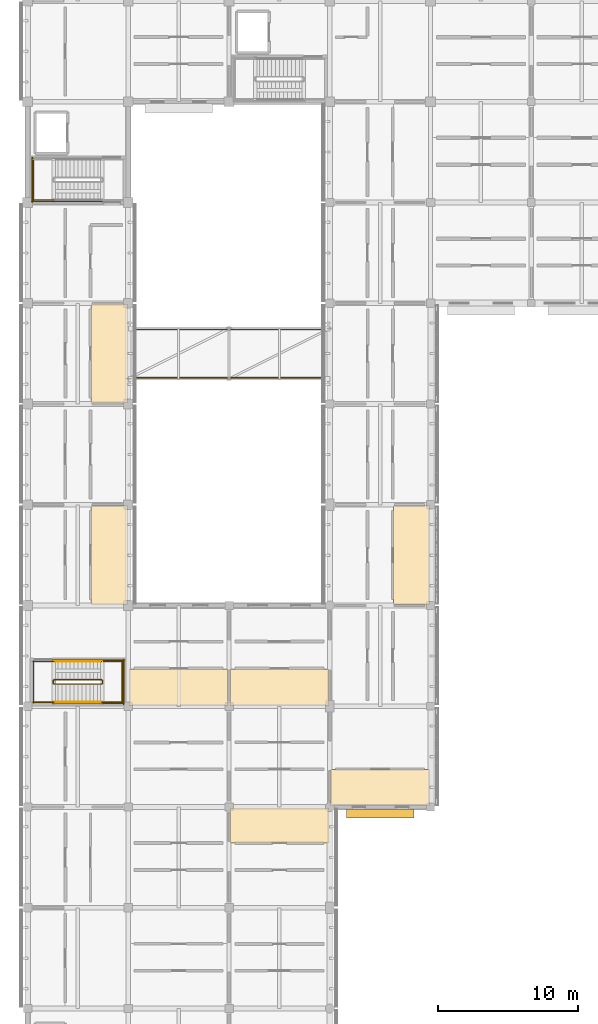
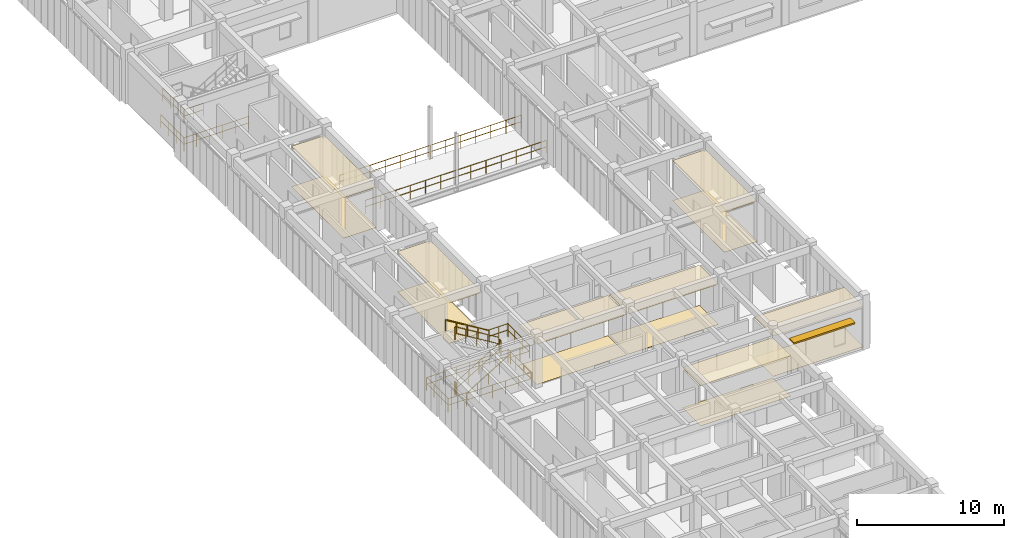
# One storey, part 148 of 171: 21 railings, 14 coverings, 1 shading device.
"""IFC4 building model written with IfcOpenShell, lengths in metres."""

from ifc_helpers import new_model, si_unit, direction, frame, origin, origin_2d, place, context, subcontext, project, spatial, polyline, rectangle, circle, outline, extrude, material, layer, layer_set, type_object, element, save


model = new_model("IFC4")

# Units and contexts
model_context = context("Model", 3, precision=1e-05, world=origin(), true_north=direction((0.0, 1.0)))
body_context = subcontext(model_context, "Body", "Model", "MODEL_VIEW")
ifc_project = project(units=[si_unit("LENGTHUNIT", "METRE"), si_unit("AREAUNIT", "SQUARE_METRE"), si_unit("VOLUMEUNIT", "CUBIC_METRE"), si_unit("PLANEANGLEUNIT", "RADIAN"), si_unit("MASSUNIT", "GRAM", prefix="KILO")], contexts=[model_context])

# Site, building, storey
site_placement = place(None, origin())
site = spatial("IfcSite", under=ifc_project, at=site_placement, CompositionType="ELEMENT")
building_placement = place(site_placement, origin())
building = spatial("IfcBuilding", under=site, at=building_placement, Name="Aldebral Square Health Centre", CompositionType="ELEMENT")
storey_placement = place(building_placement, frame((0.0, 0.0, 4.5)))
storey = spatial("IfcBuildingStorey", under=building, at=storey_placement, Name="L01", CompositionType="ELEMENT", Elevation=4.5)

# Coverings
ifc_material_1 = material(Name="Hygienic acoustic mineral ceiling tile")
ifc_layer_1 = layer(ifc_material_1, 0.02001953125, Name="Hygienic acoustic mineral ceiling tile")
ifc_layer_set_1 = layer_set([ifc_layer_1], Name="Hygienic acoustic mineral ceiling tile")
covering_type_1 = type_object("IfcCoveringType", Name="COV-CLG-AC", PredefinedType="CEILING", material=ifc_layer_set_1)
covering_1_placement = place(storey_placement, frame((0.0, 0.0, 3.340087890625)))
element("IfcCovering", 1, at=covering_1_placement, inside=storey, type_object=covering_type_1, Name="L01 Diabetic Foot Care Room 1.10E acoustic ceiling", PredefinedType="CEILING", context=body_context, shape_type="SweptSolid", body=[
    extrude(outline(polyline([(4.5400390625, 64.860107421875), (7.139892578125, 64.860107421875), (7.139892578125, 71.93994140625), (4.5400390625, 71.93994140625), (4.5400390625, 64.860107421875)])), origin(), (0.0, 0.0, 1.0), 0.02001953125),
])
covering_2_placement = place(storey_placement, frame((0.0, 0.0, 3.340087890625)))
element("IfcCovering", 2, at=covering_2_placement, inside=storey, type_object=covering_type_1, Name="L01 General Consulting Room 1.12E acoustic ceiling", PredefinedType="CEILING", context=body_context, shape_type="SweptSolid", body=[
    extrude(outline(polyline([(4.5400390625, 79.260009765625), (7.139892578125, 79.260009765625), (7.139892578125, 86.340087890625), (4.5400390625, 86.340087890625), (4.5400390625, 79.260009765625)])), origin(), (0.0, 0.0, 1.0), 0.02001953125),
])
covering_3_placement = place(storey_placement, frame((0.0, 0.0, 3.340087890625)))
element("IfcCovering", 3, at=covering_3_placement, inside=storey, type_object=covering_type_1, Name="L01 Diabetic Foot Care Room 2.9S acoustic ceiling", PredefinedType="CEILING", context=body_context, shape_type="SweptSolid", body=[
    extrude(outline(polyline([(7.260009765625, 57.659912109375), (14.340087890625, 57.659912109375), (14.340087890625, 60.280029296875), (7.260009765625, 60.280029296875), (7.260009765625, 57.659912109375)])), origin(), (0.0, 0.0, 1.0), 0.02001953125),
])
covering_4_placement = place(storey_placement, frame((0.0, 0.0, 3.340087890625)))
element("IfcCovering", 4, at=covering_4_placement, inside=storey, type_object=covering_type_1, Name="L01 Accessible WC 3.9S acoustic ceiling", PredefinedType="CEILING", context=body_context, shape_type="SweptSolid", body=[
    extrude(outline(polyline([(14.4599609375, 57.659912109375), (21.5400390625, 57.659912109375), (21.5400390625, 60.280029296875), (14.4599609375, 60.280029296875), (14.4599609375, 57.659912109375)])), origin(), (0.0, 0.0, 1.0), 0.02001953125),
])
covering_5_placement = place(storey_placement, frame((0.0, 0.0, 3.340087890625)))
element("IfcCovering", 5, at=covering_5_placement, inside=storey, type_object=covering_type_1, Name="L01 Diabetic Foot Care Room 4.8S acoustic ceiling", PredefinedType="CEILING", context=body_context, shape_type="SweptSolid", body=[
    extrude(outline(polyline([(21.659912109375, 50.4599609375), (28.739990234375, 50.4599609375), (28.739990234375, 53.080078125), (21.659912109375, 53.080078125), (21.659912109375, 50.4599609375)])), origin(), (0.0, 0.0, 1.0), 0.02001953125),
])
covering_6_placement = place(storey_placement, frame((0.0, 0.0, 3.340087890625)))
element("IfcCovering", 6, at=covering_6_placement, inside=storey, type_object=covering_type_1, Name="L01 General Consulting Room 4.10E acoustic ceiling", PredefinedType="CEILING", context=body_context, shape_type="SweptSolid", body=[
    extrude(outline(polyline([(26.139892578125, 64.860107421875), (28.739990234375, 64.860107421875), (28.739990234375, 71.93994140625), (26.139892578125, 71.93994140625), (26.139892578125, 64.860107421875)])), origin(), (0.0, 0.0, 1.0), 0.02001953125),
])
covering_7_placement = place(storey_placement, frame((0.0, 0.0, 3.340087890625)))
element("IfcCovering", 7, at=covering_7_placement, inside=storey, type_object=covering_type_1, Name="L01 Nutrition Studio 3.7N acoustic ceiling", PredefinedType="CEILING", context=body_context, shape_type="SweptSolid", body=[
    extrude(outline(polyline([(14.4599609375, 47.840087890625), (21.5400390625, 47.840087890625), (21.5400390625, 50.340087890625), (14.4599609375, 50.340087890625), (14.4599609375, 47.840087890625)])), origin(), (0.0, 0.0, 1.0), 0.02001953125),
])
ifc_material_2 = material(Name="Antimicrobial clinical vinyl flooring")
ifc_layer_2 = layer(ifc_material_2, 0.014892578125, Name="Antimicrobial clinical vinyl flooring")
ifc_layer_set_2 = layer_set([ifc_layer_2], Name="Antimicrobial clinical vinyl flooring")
covering_type_2 = type_object("IfcCoveringType", Name="COV-FLR-VN", PredefinedType="FLOORING", material=ifc_layer_set_2)
covering_8_placement = place(storey_placement, origin())
element("IfcCovering", 8, at=covering_8_placement, inside=storey, type_object=covering_type_2, Name="L01 Diabetic Foot Care Room 1.10E clinical flooring", PredefinedType="FLOORING", context=body_context, shape_type="SweptSolid", body=[
    extrude(outline(polyline([(4.5400390625, 64.860107421875), (7.139892578125, 64.860107421875), (7.139892578125, 71.93994140625), (4.5400390625, 71.93994140625), (4.5400390625, 64.860107421875)])), origin(), (0.0, 0.0, 1.0), 0.014892578125),
])
covering_9_placement = place(storey_placement, origin())
element("IfcCovering", 9, at=covering_9_placement, inside=storey, type_object=covering_type_2, Name="L01 General Consulting Room 1.12E clinical flooring", PredefinedType="FLOORING", context=body_context, shape_type="SweptSolid", body=[
    extrude(outline(polyline([(4.5400390625, 79.260009765625), (7.139892578125, 79.260009765625), (7.139892578125, 86.340087890625), (4.5400390625, 86.340087890625), (4.5400390625, 79.260009765625)])), origin(), (0.0, 0.0, 1.0), 0.014892578125),
])
covering_10_placement = place(storey_placement, origin())
element("IfcCovering", 10, at=covering_10_placement, inside=storey, type_object=covering_type_2, Name="L01 Diabetic Foot Care Room 2.9S clinical flooring", PredefinedType="FLOORING", context=body_context, shape_type="SweptSolid", body=[
    extrude(outline(polyline([(7.260009765625, 57.659912109375), (14.340087890625, 57.659912109375), (14.340087890625, 60.280029296875), (7.260009765625, 60.280029296875), (7.260009765625, 57.659912109375)])), origin(), (0.0, 0.0, 1.0), 0.014892578125),
])
covering_11_placement = place(storey_placement, origin())
element("IfcCovering", 11, at=covering_11_placement, inside=storey, type_object=covering_type_2, Name="L01 Accessible WC 3.9S clinical flooring", PredefinedType="FLOORING", context=body_context, shape_type="SweptSolid", body=[
    extrude(outline(polyline([(14.4599609375, 57.659912109375), (21.5400390625, 57.659912109375), (21.5400390625, 60.280029296875), (14.4599609375, 60.280029296875), (14.4599609375, 57.659912109375)])), origin(), (0.0, 0.0, 1.0), 0.014892578125),
])
covering_12_placement = place(storey_placement, origin())
element("IfcCovering", 12, at=covering_12_placement, inside=storey, type_object=covering_type_2, Name="L01 Diabetic Foot Care Room 4.8S clinical flooring", PredefinedType="FLOORING", context=body_context, shape_type="SweptSolid", body=[
    extrude(outline(polyline([(21.659912109375, 50.4599609375), (28.739990234375, 50.4599609375), (28.739990234375, 53.080078125), (21.659912109375, 53.080078125), (21.659912109375, 50.4599609375)])), origin(), (0.0, 0.0, 1.0), 0.014892578125),
])
covering_13_placement = place(storey_placement, origin())
element("IfcCovering", 13, at=covering_13_placement, inside=storey, type_object=covering_type_2, Name="L01 General Consulting Room 4.10E clinical flooring", PredefinedType="FLOORING", context=body_context, shape_type="SweptSolid", body=[
    extrude(outline(polyline([(26.139892578125, 64.860107421875), (28.739990234375, 64.860107421875), (28.739990234375, 71.93994140625), (26.139892578125, 71.93994140625), (26.139892578125, 64.860107421875)])), origin(), (0.0, 0.0, 1.0), 0.014892578125),
])
covering_14_placement = place(storey_placement, origin())
element("IfcCovering", 14, at=covering_14_placement, inside=storey, type_object=covering_type_2, Name="L01 Nutrition Studio 3.7N clinical flooring", PredefinedType="FLOORING", context=body_context, shape_type="SweptSolid", body=[
    extrude(outline(polyline([(14.4599609375, 47.840087890625), (21.5400390625, 47.840087890625), (21.5400390625, 50.340087890625), (14.4599609375, 50.340087890625), (14.4599609375, 47.840087890625)])), origin(), (0.0, 0.0, 1.0), 0.014892578125),
])

# Railings
ifc_material_3 = material(Name="Cream cantera and steel balustrade", Category="steel")
railing_type_1 = type_object("IfcRailingType", Name="RL-EXT-BAL", PredefinedType="BALUSTRADE", material=ifc_material_3)
railing_1_placement = place(storey_placement, frame((7.280029296875, 81.080078125, 0.0)))
element("IfcRailing", 15, at=railing_1_placement, inside=storey, type_object=railing_type_1, Name="West Light Court Bridge L01 balustrade S", PredefinedType="BALUSTRADE", context=body_context, shape_type="SweptSolid", body=[
    extrude(circle(Radius=0.02392578125, at=origin_2d()), frame((0.0, 0.0, 1.09619140625), z_axis=(1.0, 0.0, 0.0), x_axis=(0.0, 1.0, 0.0)), (0.0, 0.0, 1.0), 14.239990234375),
    extrude(circle(Radius=0.02392578125, at=origin_2d()), frame((0.0, 0.0, 0.56005859375), z_axis=(1.0, 0.0, 0.0), x_axis=(0.0, 1.0, 0.0)), (0.0, 0.0, 1.0), 14.239990234375),
    extrude(circle(Radius=0.02099609375, at=origin_2d()), origin(), (0.0, 0.0, 1.0), 1.072021484375),
    extrude(circle(Radius=0.02099609375, at=origin_2d()), frame((1.186767578125, 0.0, 0.0)), (0.0, 0.0, 1.0), 1.072021484375),
    extrude(circle(Radius=0.02099609375, at=origin_2d()), frame((2.373291015625, 0.0, 0.0)), (0.0, 0.0, 1.0), 1.072021484375),
    extrude(circle(Radius=0.02099609375, at=origin_2d()), frame((3.56005859375, 0.0, 0.0)), (0.0, 0.0, 1.0), 1.072021484375),
    extrude(circle(Radius=0.02099609375, at=origin_2d()), frame((4.74658203125, 0.0, 0.0)), (0.0, 0.0, 1.0), 1.072021484375),
    extrude(circle(Radius=0.02099609375, at=origin_2d()), frame((5.933349609375, 0.0, 0.0)), (0.0, 0.0, 1.0), 1.072021484375),
    extrude(circle(Radius=0.02099609375, at=origin_2d()), frame((7.1201171875, 0.0, 0.0)), (0.0, 0.0, 1.0), 1.072021484375),
    extrude(circle(Radius=0.02099609375, at=origin_2d()), frame((8.306640625, 0.0, 0.0)), (0.0, 0.0, 1.0), 1.072021484375),
    extrude(circle(Radius=0.02099609375, at=origin_2d()), frame((9.493408203125, 0.0, 0.0)), (0.0, 0.0, 1.0), 1.072021484375),
    extrude(circle(Radius=0.02099609375, at=origin_2d()), frame((10.679931640625, 0.0, 0.0)), (0.0, 0.0, 1.0), 1.072021484375),
    extrude(circle(Radius=0.02099609375, at=origin_2d()), frame((11.86669921875, 0.0, 0.0)), (0.0, 0.0, 1.0), 1.072021484375),
    extrude(circle(Radius=0.02099609375, at=origin_2d()), frame((13.05322265625, 0.0, 0.0)), (0.0, 0.0, 1.0), 1.072021484375),
    extrude(circle(Radius=0.02099609375, at=origin_2d()), frame((14.239990234375, 0.0, 0.0)), (0.0, 0.0, 1.0), 1.072021484375),
])
railing_2_placement = place(storey_placement, frame((7.280029296875, 84.52001953125, 0.0)))
element("IfcRailing", 16, at=railing_2_placement, inside=storey, type_object=railing_type_1, Name="West Light Court Bridge L01 balustrade N", PredefinedType="BALUSTRADE", context=body_context, shape_type="SweptSolid", body=[
    extrude(circle(Radius=0.02392578125, at=origin_2d()), frame((0.0, 0.0, 1.09619140625), z_axis=(1.0, 0.0, 0.0), x_axis=(0.0, 1.0, 0.0)), (0.0, 0.0, 1.0), 14.239990234375),
    extrude(circle(Radius=0.02392578125, at=origin_2d()), frame((0.0, 0.0, 0.56005859375), z_axis=(1.0, 0.0, 0.0), x_axis=(0.0, 1.0, 0.0)), (0.0, 0.0, 1.0), 14.239990234375),
    extrude(circle(Radius=0.02099609375, at=origin_2d()), origin(), (0.0, 0.0, 1.0), 1.072021484375),
    extrude(circle(Radius=0.02099609375, at=origin_2d()), frame((1.186767578125, 0.0, 0.0)), (0.0, 0.0, 1.0), 1.072021484375),
    extrude(circle(Radius=0.02099609375, at=origin_2d()), frame((2.373291015625, 0.0, 0.0)), (0.0, 0.0, 1.0), 1.072021484375),
    extrude(circle(Radius=0.02099609375, at=origin_2d()), frame((3.56005859375, 0.0, 0.0)), (0.0, 0.0, 1.0), 1.072021484375),
    extrude(circle(Radius=0.02099609375, at=origin_2d()), frame((4.74658203125, 0.0, 0.0)), (0.0, 0.0, 1.0), 1.072021484375),
    extrude(circle(Radius=0.02099609375, at=origin_2d()), frame((5.933349609375, 0.0, 0.0)), (0.0, 0.0, 1.0), 1.072021484375),
    extrude(circle(Radius=0.02099609375, at=origin_2d()), frame((7.1201171875, 0.0, 0.0)), (0.0, 0.0, 1.0), 1.072021484375),
    extrude(circle(Radius=0.02099609375, at=origin_2d()), frame((8.306640625, 0.0, 0.0)), (0.0, 0.0, 1.0), 1.072021484375),
    extrude(circle(Radius=0.02099609375, at=origin_2d()), frame((9.493408203125, 0.0, 0.0)), (0.0, 0.0, 1.0), 1.072021484375),
    extrude(circle(Radius=0.02099609375, at=origin_2d()), frame((10.679931640625, 0.0, 0.0)), (0.0, 0.0, 1.0), 1.072021484375),
    extrude(circle(Radius=0.02099609375, at=origin_2d()), frame((11.86669921875, 0.0, 0.0)), (0.0, 0.0, 1.0), 1.072021484375),
    extrude(circle(Radius=0.02099609375, at=origin_2d()), frame((13.05322265625, 0.0, 0.0)), (0.0, 0.0, 1.0), 1.072021484375),
    extrude(circle(Radius=0.02099609375, at=origin_2d()), frame((14.239990234375, 0.0, 0.0)), (0.0, 0.0, 1.0), 1.072021484375),
])
ifc_material_4 = material(Name="Painted steel S355JR stair guard", Category="steel")
railing_type_2 = type_object("IfcRailingType", Name="RL-ST-GRD", PredefinedType="GUARDRAIL", material=ifc_material_4)
railing_3_placement = place(storey_placement, frame((1.89990234375, 93.77001953125, 2.25)))
element("IfcRailing", 17, at=railing_3_placement, inside=storey, type_object=railing_type_2, Name="L01 ST-01 stair guard 4", PredefinedType="GUARDRAIL", context=body_context, shape_type="SweptSolid", body=[
    extrude(circle(Radius=0.02392578125, at=origin_2d()), frame((0.0, 0.0, 1.09619140625), z_axis=(-1.0, 0.0, 0.0), x_axis=(0.0, -1.0, 0.0)), (0.0, 0.0, 1.0), 1.52001953125),
    extrude(circle(Radius=0.02392578125, at=origin_2d()), frame((0.0, 0.0, 0.56005859375), z_axis=(-1.0, 0.0, 0.0), x_axis=(0.0, -1.0, 0.0)), (0.0, 0.0, 1.0), 1.52001953125),
    extrude(circle(Radius=0.02099609375, at=origin_2d()), origin(), (0.0, 0.0, 1.0), 1.072021484375),
    extrude(circle(Radius=0.02099609375, at=origin_2d()), frame((-0.760009765625, 0.0, 0.0)), (0.0, 0.0, 1.0), 1.072021484375),
    extrude(circle(Radius=0.02099609375, at=origin_2d()), frame((-1.52001953125, 0.0, 0.0)), (0.0, 0.0, 1.0), 1.072021484375),
])
railing_4_placement = place(storey_placement, frame((0.429931640625, 96.719970703125, 2.25)))
element("IfcRailing", 18, at=railing_4_placement, inside=storey, type_object=railing_type_2, Name="L01 ST-01 stair guard 5", PredefinedType="GUARDRAIL", context=body_context, shape_type="SweptSolid", body=[
    extrude(circle(Radius=0.02392578125, at=origin_2d()), frame((0.0, 0.0, 1.09619140625), z_axis=(0.0, -1.0, 0.0), x_axis=(1.0, 0.0, 0.0)), (0.0, 0.0, 1.0), 3.0),
    extrude(circle(Radius=0.02392578125, at=origin_2d()), frame((0.0, 0.0, 0.56005859375), z_axis=(0.0, -1.0, 0.0), x_axis=(1.0, 0.0, 0.0)), (0.0, 0.0, 1.0), 3.0),
    extrude(circle(Radius=0.02099609375, at=origin_2d()), origin(), (0.0, 0.0, 1.0), 1.072021484375),
    extrude(circle(Radius=0.02099609375, at=origin_2d()), frame((0.0, -1.0, 0.0)), (0.0, 0.0, 1.0), 1.072021484375),
    extrude(circle(Radius=0.02099609375, at=origin_2d()), frame((0.0, -2.0, 0.0)), (0.0, 0.0, 1.0), 1.072021484375),
    extrude(circle(Radius=0.02099609375, at=origin_2d()), frame((0.0, -3.0, 0.0)), (0.0, 0.0, 1.0), 1.072021484375),
])
railing_5_placement = place(storey_placement, frame((5.419921875, 93.669921875, 0.0)))
element("IfcRailing", 19, at=railing_5_placement, inside=storey, type_object=railing_type_2, Name="L01 ST-01 stair guard 11", PredefinedType="GUARDRAIL", context=body_context, shape_type="SweptSolid", body=[
    extrude(circle(Radius=0.02392578125, at=origin_2d()), frame((0.0, 0.0, 1.09619140625), z_axis=(-1.0, 0.0, 0.0), x_axis=(0.0, -1.0, 0.0)), (0.0, 0.0, 1.0), 5.139892578125),
    extrude(circle(Radius=0.02392578125, at=origin_2d()), frame((0.0, 0.0, 0.56005859375), z_axis=(-1.0, 0.0, 0.0), x_axis=(0.0, -1.0, 0.0)), (0.0, 0.0, 1.0), 5.139892578125),
    extrude(circle(Radius=0.02099609375, at=origin_2d()), origin(), (0.0, 0.0, 1.0), 1.072021484375),
    extrude(circle(Radius=0.02099609375, at=origin_2d()), frame((-1.028076171875, 0.0, 0.0)), (0.0, 0.0, 1.0), 1.072021484375),
    extrude(circle(Radius=0.02099609375, at=origin_2d()), frame((-2.055908203125, 0.0, 0.0)), (0.0, 0.0, 1.0), 1.072021484375),
    extrude(circle(Radius=0.02099609375, at=origin_2d()), frame((-3.083984375, 0.0, 0.0)), (0.0, 0.0, 1.0), 1.072021484375),
    extrude(circle(Radius=0.02099609375, at=origin_2d()), frame((-4.11181640625, 0.0, 0.0)), (0.0, 0.0, 1.0), 1.072021484375),
    extrude(circle(Radius=0.02099609375, at=origin_2d()), frame((-5.139892578125, 0.0, 0.0)), (0.0, 0.0, 1.0), 1.072021484375),
])
railing_6_placement = place(storey_placement, frame((0.330078125, 96.820068359375, 0.0)))
element("IfcRailing", 20, at=railing_6_placement, inside=storey, type_object=railing_type_2, Name="L01 ST-01 stair guard 12", PredefinedType="GUARDRAIL", context=body_context, shape_type="SweptSolid", body=[
    extrude(circle(Radius=0.02392578125, at=origin_2d()), frame((0.0, 0.0, 1.09619140625), z_axis=(0.0, -1.0, 0.0), x_axis=(1.0, 0.0, 0.0)), (0.0, 0.0, 1.0), 3.199951171875),
    extrude(circle(Radius=0.02392578125, at=origin_2d()), frame((0.0, 0.0, 0.56005859375), z_axis=(0.0, -1.0, 0.0), x_axis=(1.0, 0.0, 0.0)), (0.0, 0.0, 1.0), 3.199951171875),
    extrude(circle(Radius=0.02099609375, at=origin_2d()), origin(), (0.0, 0.0, 1.0), 1.072021484375),
    extrude(circle(Radius=0.02099609375, at=origin_2d()), frame((0.0, -1.066650390625, 0.0)), (0.0, 0.0, 1.0), 1.072021484375),
    extrude(circle(Radius=0.02099609375, at=origin_2d()), frame((0.0, -2.13330078125, 0.0)), (0.0, 0.0, 1.0), 1.072021484375),
    extrude(circle(Radius=0.02099609375, at=origin_2d()), frame((0.0, -3.199951171875, 0.0)), (0.0, 0.0, 1.0), 1.072021484375),
])
railing_7_placement = place(storey_placement, frame((1.8798828125, 59.18994140625, 0.173095703125)))
element("IfcRailing", 21, at=railing_7_placement, inside=storey, type_object=railing_type_2, Name="L01 ST-11 stair guard 1", PredefinedType="GUARDRAIL", context=body_context, shape_type="SweptSolid", body=[
    extrude(circle(Radius=0.02392578125, at=origin_2d()), frame((0.0, 0.0, 1.09619140625), z_axis=(0.854745945586, 0.0, 0.519046595696), x_axis=(0.0, 1.0, 0.0)), (0.0, 0.0, 1.0), 4.00146484375),
    extrude(circle(Radius=0.02392578125, at=origin_2d()), frame((0.0, 0.0, 0.56005859375), z_axis=(0.854745945586, 0.0, 0.519046595696), x_axis=(0.0, 1.0, 0.0)), (0.0, 0.0, 1.0), 4.00146484375),
    extrude(circle(Radius=0.02099609375, at=origin_2d()), origin(), (0.0, 0.0, 1.0), 1.072021484375),
    extrude(circle(Radius=0.02099609375, at=origin_2d()), frame((0.85498046875, 0.0, 0.519287109375)), (0.0, 0.0, 1.0), 1.072021484375),
    extrude(circle(Radius=0.02099609375, at=origin_2d()), frame((1.7099609375, 0.0, 1.03857421875)), (0.0, 0.0, 1.0), 1.072021484375),
    extrude(circle(Radius=0.02099609375, at=origin_2d()), frame((2.565185546875, 0.0, 1.5576171875)), (0.0, 0.0, 1.0), 1.072021484375),
    extrude(circle(Radius=0.02099609375, at=origin_2d()), frame((3.420166015625, 0.0, 2.076904296875)), (0.0, 0.0, 1.0), 1.072021484375),
])
railing_8_placement = place(storey_placement, frame((5.35009765625, 59.239990234375, 2.25)))
element("IfcRailing", 22, at=railing_8_placement, inside=storey, type_object=railing_type_2, Name="L01 ST-11 stair guard 2", PredefinedType="GUARDRAIL", context=body_context, shape_type="SweptSolid", body=[
    extrude(circle(Radius=0.02392578125, at=origin_2d()), frame((0.0, 0.0, 1.09619140625), z_axis=(0.0, 1.0, 0.0), x_axis=(-1.0, 0.0, 0.0)), (0.0, 0.0, 1.0), 0.199951171875),
    extrude(circle(Radius=0.02392578125, at=origin_2d()), frame((0.0, 0.0, 0.56005859375), z_axis=(0.0, 1.0, 0.0), x_axis=(-1.0, 0.0, 0.0)), (0.0, 0.0, 1.0), 0.199951171875),
    extrude(circle(Radius=0.02099609375, at=origin_2d()), origin(), (0.0, 0.0, 1.0), 1.072021484375),
    extrude(circle(Radius=0.02099609375, at=origin_2d()), frame((0.0, 0.199951171875, 0.0)), (0.0, 0.0, 1.0), 1.072021484375),
])
for number, where, name in (
    (23, (5.300048828125, 57.889892578125, 2.25), "L01 ST-11 stair guard 3"),
    (24, (5.300048828125, 60.7900390625, 2.25), "L01 ST-11 stair guard 4"),
):
    element("IfcRailing", number, at=place(storey_placement, frame(where)), inside=storey, type_object=railing_type_2, Name=name, PredefinedType="GUARDRAIL", context=body_context, shape_type="SweptSolid", body=[
        extrude(circle(Radius=0.02392578125, at=origin_2d()), frame((0.0, 0.0, 1.09619140625), z_axis=(1.0, 0.0, 0.0), x_axis=(0.0, 1.0, 0.0)), (0.0, 0.0, 1.0), 1.52001953125),
        extrude(circle(Radius=0.02392578125, at=origin_2d()), frame((0.0, 0.0, 0.56005859375), z_axis=(1.0, 0.0, 0.0), x_axis=(0.0, 1.0, 0.0)), (0.0, 0.0, 1.0), 1.52001953125),
        extrude(circle(Radius=0.02099609375, at=origin_2d()), origin(), (0.0, 0.0, 1.0), 1.072021484375),
        extrude(circle(Radius=0.02099609375, at=origin_2d()), frame((0.760009765625, 0.0, 0.0)), (0.0, 0.0, 1.0), 1.072021484375),
        extrude(circle(Radius=0.02099609375, at=origin_2d()), frame((1.52001953125, 0.0, 0.0)), (0.0, 0.0, 1.0), 1.072021484375),
    ])
railing_9_placement = place(storey_placement, frame((6.77001953125, 57.840087890625, 2.25)))
element("IfcRailing", 25, at=railing_9_placement, inside=storey, type_object=railing_type_2, Name="L01 ST-11 stair guard 5", PredefinedType="GUARDRAIL", context=body_context, shape_type="SweptSolid", body=[
    extrude(circle(Radius=0.02392578125, at=origin_2d()), frame((0.0, 0.0, 1.09619140625), z_axis=(0.0, 1.0, 0.0), x_axis=(-1.0, 0.0, 0.0)), (0.0, 0.0, 1.0), 3.0),
    extrude(circle(Radius=0.02392578125, at=origin_2d()), frame((0.0, 0.0, 0.56005859375), z_axis=(0.0, 1.0, 0.0), x_axis=(-1.0, 0.0, 0.0)), (0.0, 0.0, 1.0), 3.0),
    extrude(circle(Radius=0.02099609375, at=origin_2d()), origin(), (0.0, 0.0, 1.0), 1.072021484375),
    extrude(circle(Radius=0.02099609375, at=origin_2d()), frame((0.0, 1.0, 0.0)), (0.0, 0.0, 1.0), 1.072021484375),
    extrude(circle(Radius=0.02099609375, at=origin_2d()), frame((0.0, 2.0, 0.0)), (0.0, 0.0, 1.0), 1.072021484375),
    extrude(circle(Radius=0.02099609375, at=origin_2d()), frame((0.0, 3.0, 0.0)), (0.0, 0.0, 1.0), 1.072021484375),
])
railing_10_placement = place(storey_placement, frame((5.300048828125, 59.489990234375, 2.423095703125)))
element("IfcRailing", 26, at=railing_10_placement, inside=storey, type_object=railing_type_2, Name="L01 ST-11 stair guard 6", PredefinedType="GUARDRAIL", context=body_context, shape_type="SweptSolid", body=[
    extrude(circle(Radius=0.02392578125, at=origin_2d()), frame((0.0, 0.0, 1.09619140625), z_axis=(-0.854745945586, 0.0, 0.519046595696), x_axis=(0.0, -1.0, 0.0)), (0.0, 0.0, 1.0), 4.00146484375),
    extrude(circle(Radius=0.02392578125, at=origin_2d()), frame((0.0, 0.0, 0.56005859375), z_axis=(-0.854745945586, 0.0, 0.519046595696), x_axis=(0.0, -1.0, 0.0)), (0.0, 0.0, 1.0), 4.00146484375),
    extrude(circle(Radius=0.02099609375, at=origin_2d()), origin(), (0.0, 0.0, 1.0), 1.072021484375),
    extrude(circle(Radius=0.02099609375, at=origin_2d()), frame((-0.85498046875, 0.0, 0.519287109375)), (0.0, 0.0, 1.0), 1.072021484375),
    extrude(circle(Radius=0.02099609375, at=origin_2d()), frame((-1.7099609375, 0.0, 1.03857421875)), (0.0, 0.0, 1.0), 1.072021484375),
    extrude(circle(Radius=0.02099609375, at=origin_2d()), frame((-2.565185546875, 0.0, 1.5576171875)), (0.0, 0.0, 1.0), 1.072021484375),
    extrude(circle(Radius=0.02099609375, at=origin_2d()), frame((-3.420166015625, 0.0, 2.076904296875)), (0.0, 0.0, 1.0), 1.072021484375),
])
railing_11_placement = place(storey_placement, frame((1.830078125, 59.239990234375, 0.0)))
element("IfcRailing", 27, at=railing_11_placement, inside=storey, type_object=railing_type_2, Name="L01 ST-11 stair guard 7", PredefinedType="GUARDRAIL", context=body_context, shape_type="SweptSolid", body=[
    extrude(circle(Radius=0.02392578125, at=origin_2d()), frame((0.0, 0.0, 1.09619140625), z_axis=(0.0, 1.0, 0.0), x_axis=(-1.0, 0.0, 0.0)), (0.0, 0.0, 1.0), 0.199951171875),
    extrude(circle(Radius=0.02392578125, at=origin_2d()), frame((0.0, 0.0, 0.56005859375), z_axis=(0.0, 1.0, 0.0), x_axis=(-1.0, 0.0, 0.0)), (0.0, 0.0, 1.0), 0.199951171875),
    extrude(circle(Radius=0.02099609375, at=origin_2d()), origin(), (0.0, 0.0, 1.0), 1.072021484375),
    extrude(circle(Radius=0.02099609375, at=origin_2d()), frame((0.0, 0.199951171875, 0.0)), (0.0, 0.0, 1.0), 1.072021484375),
])
for number, where, name in (
    (28, (0.3798828125, 57.889892578125, 0.0), "L01 ST-11 stair guard 8"),
    (29, (0.3798828125, 60.7900390625, 0.0), "L01 ST-11 stair guard 9"),
):
    element("IfcRailing", number, at=place(storey_placement, frame(where)), inside=storey, type_object=railing_type_2, Name=name, PredefinedType="GUARDRAIL", context=body_context, shape_type="SweptSolid", body=[
        extrude(circle(Radius=0.02392578125, at=origin_2d()), frame((0.0, 0.0, 1.09619140625), z_axis=(1.0, 0.0, 0.0), x_axis=(0.0, 1.0, 0.0)), (0.0, 0.0, 1.0), 1.5),
        extrude(circle(Radius=0.02392578125, at=origin_2d()), frame((0.0, 0.0, 0.56005859375), z_axis=(1.0, 0.0, 0.0), x_axis=(0.0, 1.0, 0.0)), (0.0, 0.0, 1.0), 1.5),
        extrude(circle(Radius=0.02099609375, at=origin_2d()), origin(), (0.0, 0.0, 1.0), 1.072021484375),
        extrude(circle(Radius=0.02099609375, at=origin_2d()), frame((0.75, 0.0, 0.0)), (0.0, 0.0, 1.0), 1.072021484375),
        extrude(circle(Radius=0.02099609375, at=origin_2d()), frame((1.5, 0.0, 0.0)), (0.0, 0.0, 1.0), 1.072021484375),
    ])
railing_12_placement = place(storey_placement, frame((0.429931640625, 57.840087890625, 0.0)))
element("IfcRailing", 30, at=railing_12_placement, inside=storey, type_object=railing_type_2, Name="L01 ST-11 stair guard 10", PredefinedType="GUARDRAIL", context=body_context, shape_type="SweptSolid", body=[
    extrude(circle(Radius=0.02392578125, at=origin_2d()), frame((0.0, 0.0, 1.09619140625), z_axis=(0.0, 1.0, 0.0), x_axis=(-1.0, 0.0, 0.0)), (0.0, 0.0, 1.0), 3.0),
    extrude(circle(Radius=0.02392578125, at=origin_2d()), frame((0.0, 0.0, 0.56005859375), z_axis=(0.0, 1.0, 0.0), x_axis=(-1.0, 0.0, 0.0)), (0.0, 0.0, 1.0), 3.0),
    extrude(circle(Radius=0.02099609375, at=origin_2d()), origin(), (0.0, 0.0, 1.0), 1.072021484375),
    extrude(circle(Radius=0.02099609375, at=origin_2d()), frame((0.0, 1.0, 0.0)), (0.0, 0.0, 1.0), 1.072021484375),
    extrude(circle(Radius=0.02099609375, at=origin_2d()), frame((0.0, 2.0, 0.0)), (0.0, 0.0, 1.0), 1.072021484375),
    extrude(circle(Radius=0.02099609375, at=origin_2d()), frame((0.0, 3.0, 0.0)), (0.0, 0.0, 1.0), 1.072021484375),
])
for number, where, name in (
    (31, (1.780029296875, 57.7900390625, 0.0), "L01 ST-11 stair guard 11"),
    (32, (1.780029296875, 60.889892578125, 0.0), "L01 ST-11 stair guard 12"),
):
    element("IfcRailing", number, at=place(storey_placement, frame(where)), inside=storey, type_object=railing_type_2, Name=name, PredefinedType="GUARDRAIL", context=body_context, shape_type="SweptSolid", body=[
        extrude(circle(Radius=0.02392578125, at=origin_2d()), frame((0.0, 0.0, 1.09619140625), z_axis=(1.0, 0.0, 0.0), x_axis=(0.0, 1.0, 0.0)), (0.0, 0.0, 1.0), 5.139892578125),
        extrude(circle(Radius=0.02392578125, at=origin_2d()), frame((0.0, 0.0, 0.56005859375), z_axis=(1.0, 0.0, 0.0), x_axis=(0.0, 1.0, 0.0)), (0.0, 0.0, 1.0), 5.139892578125),
        extrude(circle(Radius=0.02099609375, at=origin_2d()), origin(), (0.0, 0.0, 1.0), 1.072021484375),
        extrude(circle(Radius=0.02099609375, at=origin_2d()), frame((1.028076171875, 0.0, 0.0)), (0.0, 0.0, 1.0), 1.072021484375),
        extrude(circle(Radius=0.02099609375, at=origin_2d()), frame((2.055908203125, 0.0, 0.0)), (0.0, 0.0, 1.0), 1.072021484375),
        extrude(circle(Radius=0.02099609375, at=origin_2d()), frame((3.083984375, 0.0, 0.0)), (0.0, 0.0, 1.0), 1.072021484375),
        extrude(circle(Radius=0.02099609375, at=origin_2d()), frame((4.11181640625, 0.0, 0.0)), (0.0, 0.0, 1.0), 1.072021484375),
        extrude(circle(Radius=0.02099609375, at=origin_2d()), frame((5.139892578125, 0.0, 0.0)), (0.0, 0.0, 1.0), 1.072021484375),
    ])
railing_13_placement = place(storey_placement, frame((6.8701171875, 57.739990234375, 0.0)))
element("IfcRailing", 33, at=railing_13_placement, inside=storey, type_object=railing_type_2, Name="L01 ST-11 stair guard 13", PredefinedType="GUARDRAIL", context=body_context, shape_type="SweptSolid", body=[
    extrude(circle(Radius=0.02392578125, at=origin_2d()), frame((0.0, 0.0, 1.09619140625), z_axis=(0.0, 1.0, 0.0), x_axis=(-1.0, 0.0, 0.0)), (0.0, 0.0, 1.0), 3.199951171875),
    extrude(circle(Radius=0.02392578125, at=origin_2d()), frame((0.0, 0.0, 0.56005859375), z_axis=(0.0, 1.0, 0.0), x_axis=(-1.0, 0.0, 0.0)), (0.0, 0.0, 1.0), 3.199951171875),
    extrude(circle(Radius=0.02099609375, at=origin_2d()), origin(), (0.0, 0.0, 1.0), 1.072021484375),
    extrude(circle(Radius=0.02099609375, at=origin_2d()), frame((0.0, 1.066650390625, 0.0)), (0.0, 0.0, 1.0), 1.072021484375),
    extrude(circle(Radius=0.02099609375, at=origin_2d()), frame((0.0, 2.13330078125, 0.0)), (0.0, 0.0, 1.0), 1.072021484375),
    extrude(circle(Radius=0.02099609375, at=origin_2d()), frame((0.0, 3.199951171875, 0.0)), (0.0, 0.0, 1.0), 1.072021484375),
])
ifc_material_5 = material(Name="Brushed stainless steel handrail", Category="steel")
railing_type_3 = type_object("IfcRailingType", Name="RL-ST-HND", PredefinedType="HANDRAIL", material=ifc_material_5)
railing_14_placement = place(storey_placement, frame((1.8798828125, 57.889892578125, 0.173095703125)))
element("IfcRailing", 34, at=railing_14_placement, inside=storey, type_object=railing_type_3, Name="L01 ST-11 stair handrail 1", PredefinedType="HANDRAIL", context=body_context, shape_type="SweptSolid", body=[
    extrude(circle(Radius=0.02392578125, at=origin_2d()), frame((0.0, 0.0, 0.8759765625), z_axis=(0.854745945586, 0.0, 0.519046595696), x_axis=(0.0, 1.0, 0.0)), (0.0, 0.0, 1.0), 4.00146484375),
    extrude(circle(Radius=0.02099609375, at=origin_2d()), origin(), (0.0, 0.0, 1.0), 0.851806640625),
    extrude(circle(Radius=0.02099609375, at=origin_2d()), frame((0.85498046875, 0.0, 0.519287109375)), (0.0, 0.0, 1.0), 0.851806640625),
    extrude(circle(Radius=0.02099609375, at=origin_2d()), frame((1.7099609375, 0.0, 1.03857421875)), (0.0, 0.0, 1.0), 0.851806640625),
    extrude(circle(Radius=0.02099609375, at=origin_2d()), frame((2.565185546875, 0.0, 1.5576171875)), (0.0, 0.0, 1.0), 0.851806640625),
    extrude(circle(Radius=0.02099609375, at=origin_2d()), frame((3.420166015625, 0.0, 2.076904296875)), (0.0, 0.0, 1.0), 0.851806640625),
])
railing_15_placement = place(storey_placement, frame((5.300048828125, 60.7900390625, 2.423095703125)))
element("IfcRailing", 35, at=railing_15_placement, inside=storey, type_object=railing_type_3, Name="L01 ST-11 stair handrail 2", PredefinedType="HANDRAIL", context=body_context, shape_type="SweptSolid", body=[
    extrude(circle(Radius=0.02392578125, at=origin_2d()), frame((0.0, 0.0, 0.8759765625), z_axis=(-0.854745945586, 0.0, 0.519046595696), x_axis=(0.0, -1.0, 0.0)), (0.0, 0.0, 1.0), 4.00146484375),
    extrude(circle(Radius=0.02099609375, at=origin_2d()), origin(), (0.0, 0.0, 1.0), 0.851806640625),
    extrude(circle(Radius=0.02099609375, at=origin_2d()), frame((-0.85498046875, 0.0, 0.519287109375)), (0.0, 0.0, 1.0), 0.851806640625),
    extrude(circle(Radius=0.02099609375, at=origin_2d()), frame((-1.7099609375, 0.0, 1.03857421875)), (0.0, 0.0, 1.0), 0.851806640625),
    extrude(circle(Radius=0.02099609375, at=origin_2d()), frame((-2.565185546875, 0.0, 1.5576171875)), (0.0, 0.0, 1.0), 0.851806640625),
    extrude(circle(Radius=0.02099609375, at=origin_2d()), frame((-3.420166015625, 0.0, 2.076904296875)), (0.0, 0.0, 1.0), 0.851806640625),
])

# Shading device
ifc_material_6 = material(Name="Sienna-terracotta solar hood", Category="masonry")
shading_device_type = type_object("IfcShadingDeviceType", Name="SHD-LVR-1", PredefinedType="JALOUSIE", material=ifc_material_6)
shading_device_placement = place(storey_placement, frame((25.199951171875, 49.93505859375, 2.800048828125), z_axis=(0.0, 0.0, 1.0), x_axis=(1.0, 0.0, 0.0)))
element("IfcShadingDevice", 36, at=shading_device_placement, inside=storey, type_object=shading_device_type, Name="L01 solar hood L01-V4-03-07-S", PredefinedType="JALOUSIE", context=body_context, shape_type="SweptSolid", body=[
    extrude(rectangle(XDim=4.800048828125, YDim=0.64990234375, at=origin_2d()), origin(), (0.0, 0.0, 1.0), 0.1201171875),
])

save(model, "model.ifc")
